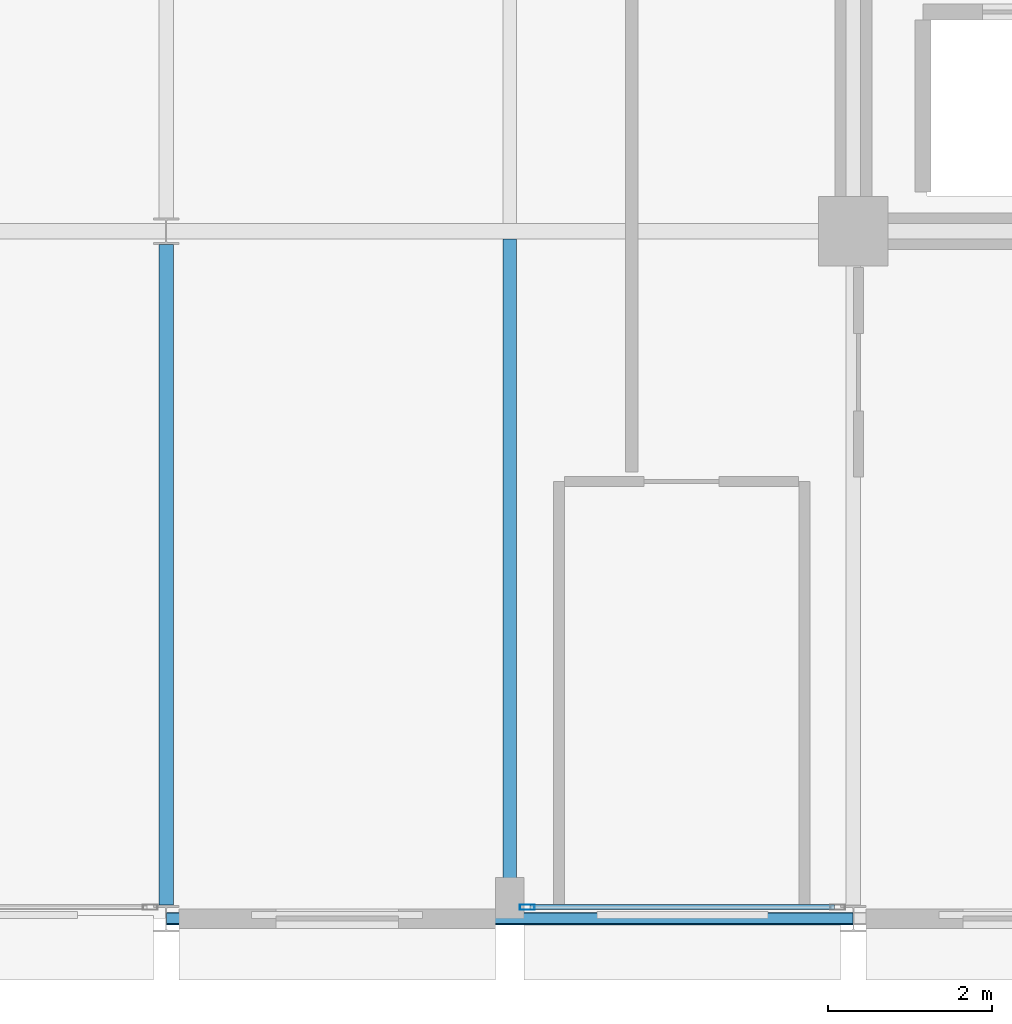
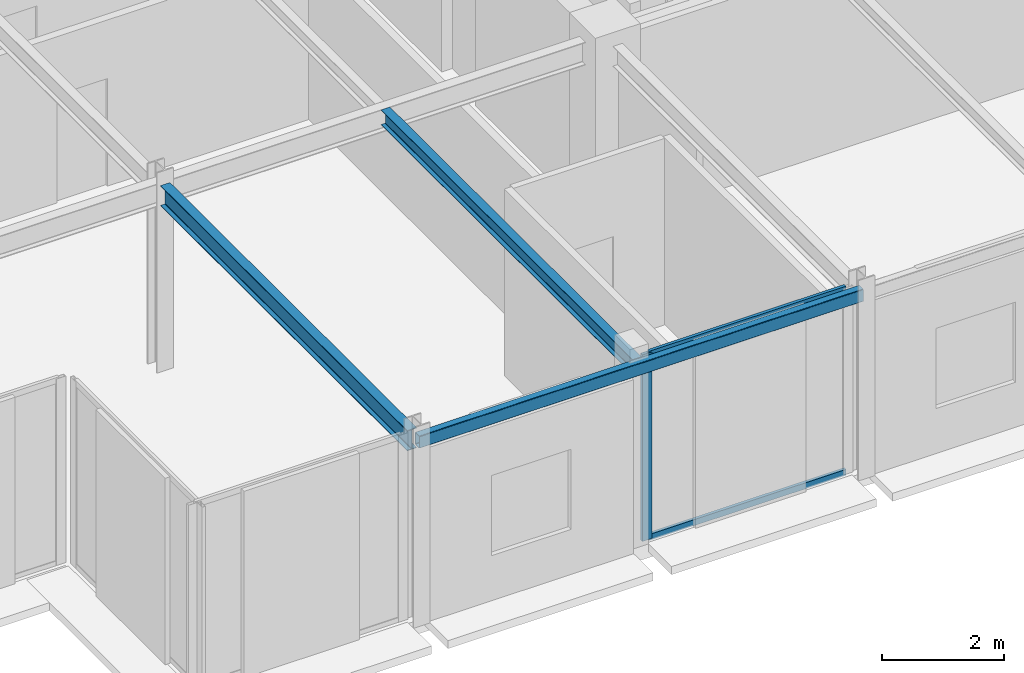
# One storey, part 4 of 27: 3 beams, 3 members, 1 element without a shape of its own.
"""IFC4 building model written with IfcOpenShell, lengths in metres."""

from ifc_helpers import new_model, si_unit, direction, frame, origin, origin_2d, place, context, subcontext, project, spatial, hollow_rectangle, i_section, extrude, material, layer, layer_set, material_profile, profile_set, type_object, element, aggregate, save


model = new_model("IFC4")

# Units and contexts
model_context = context("Model", 3, precision=1e-05, world=origin(), true_north=direction((0.0, 1.0)))
body_context = subcontext(model_context, "Body", "Model", "MODEL_VIEW")
ifc_project = project(units=[si_unit("LENGTHUNIT", "METRE"), si_unit("AREAUNIT", "SQUARE_METRE"), si_unit("VOLUMEUNIT", "CUBIC_METRE"), si_unit("PLANEANGLEUNIT", "RADIAN"), si_unit("MASSUNIT", "GRAM", prefix="KILO")], contexts=[model_context])

# Site, building, storey
site_placement = place(None, origin())
site = spatial("IfcSite", under=ifc_project, at=site_placement, CompositionType="ELEMENT")
building_placement = place(site_placement, origin())
building = spatial("IfcBuilding", under=site, at=building_placement, Name="Nerrivon Quay Data Exchange", CompositionType="ELEMENT")
storey_placement = place(building_placement, frame((0.0, 0.0, 266.199951171875)))
storey = spatial("IfcBuildingStorey", under=building, at=storey_placement, Name="L63", CompositionType="ELEMENT", Elevation=266.199951171875)

# Beams
ifc_material_1 = material(Name="Steel Grade 350", Category="steel")
ifc_material_profile_1 = material_profile(ifc_material_1, i_section(OverallWidth=0.177978515625, OverallDepth=0.406005859375, WebThickness=0.0078125, FlangeThickness=0.0126953125, FilletRadius=0.011474609375, at=origin_2d()), Name="410UB59.7")
ifc_profile_set_1 = profile_set([ifc_material_profile_1], Name="Steel Grade 350")
beam_type_1 = type_object("IfcBeamType", Name="BM-J1-410UB60", PredefinedType="JOIST", material=ifc_profile_set_1)
beam_1_placement = place(storey_placement, frame((8.39990234375, 0.16357421875, 3.52197265625), z_axis=(0.0, 1.0, 0.0), x_axis=(-1.0, 0.0, 0.0)))
element("IfcBeam", 1, at=beam_1_placement, inside=storey, type_object=beam_type_1, Name="L63 NS Girder X=8.4 (0.0..8.4)", PredefinedType="JOIST", context=body_context, shape_type="SweptSolid", body=[
    extrude(i_section(OverallWidth=0.177978515625, OverallDepth=0.406005859375, WebThickness=0.0078125, FlangeThickness=0.0126953125, FilletRadius=0.011474609375, at=origin_2d()), origin(), (0.0, 0.0, 1.0), 8.072998046875),
])
ifc_material_profile_2 = material_profile(ifc_material_1, i_section(OverallWidth=0.1650390625, OverallDepth=0.303955078125, WebThickness=0.006103515625, FlangeThickness=0.01025390625, FilletRadius=0.011474609375, at=origin_2d()), Name="310UB40.4")
ifc_profile_set_2 = profile_set([ifc_material_profile_2], Name="Steel Grade 350")
beam_type_2 = type_object("IfcBeamType", Name="BM-J6-310UB40", PredefinedType="JOIST", material=ifc_profile_set_2)
beam_2_placement = place(storey_placement, frame((12.60009765625, 0.074951171875, 3.572998046875), z_axis=(0.0, 1.0, 0.0), x_axis=(-1.0, 0.0, 0.0)))
element("IfcBeam", 2, at=beam_2_placement, inside=storey, type_object=beam_type_2, Name="L63 Secondary Joist X=12.6 (0.0..8.4)", PredefinedType="JOIST", context=body_context, shape_type="SweptSolid", body=[
    extrude(i_section(OverallWidth=0.1650390625, OverallDepth=0.303955078125, WebThickness=0.006103515625, FlangeThickness=0.01025390625, FilletRadius=0.011474609375, at=origin_2d()), origin(), (0.0, 0.0, 1.0), 8.22998046875),
])
ifc_material_2 = material(Name="Steel Grade C350L0 (350 MPa)", Category="steel")
ifc_material_profile_3 = material_profile(ifc_material_2, hollow_rectangle(XDim=0.14990234375, YDim=0.25, WallThickness=0.009033203125, InnerFilletRadius=0.013427734375, OuterFilletRadius=0.0224609375, at=origin_2d()), Name="250x150x9.0RHS")
ifc_profile_set_3 = profile_set([ifc_material_profile_3], Name="Steel Grade C350L0 (350 MPa)")
beam_type_3 = type_object("IfcBeamType", Name="BM-SP4-250x150RHS", PredefinedType="SPANDREL", material=ifc_profile_set_3)
beam_3_placement = place(storey_placement, frame((8.40771484375, 0.0, 3.60009765625), z_axis=(1.0, 0.0, 0.0), x_axis=(0.0, 1.0, 0.0)))
element("IfcBeam", 3, at=beam_3_placement, inside=storey, type_object=beam_type_3, Name="L63 EW Girder Y=0.0 (8.4..16.8)", PredefinedType="SPANDREL", context=body_context, shape_type="SweptSolid", body=[
    extrude(hollow_rectangle(XDim=0.14990234375, YDim=0.25, WallThickness=0.009033203125, InnerFilletRadius=0.013427734375, OuterFilletRadius=0.0224609375, at=origin_2d()), origin(), (0.0, 0.0, 1.0), 8.38427734375),
])

# Curtain wall, members
ifc_material_3 = material(Name="Anodised aluminium 6063-T6", Category="aluminium")
ifc_layer = layer(ifc_material_3, 0.195068359375)
ifc_layer_set = layer_set([ifc_layer], Name="Anodised aluminium 6063-T6")
curtain_wall_type = type_object("IfcCurtainWallType", Name="CW-SYS-06", PredefinedType="NOTDEFINED", material=ifc_layer_set)
curtain_wall_placement = place(storey_placement, origin())
curtain_wall = element("IfcCurtainWall", 4, at=curtain_wall_placement, inside=storey, type_object=curtain_wall_type, Name="L63 Unitised Curtain Wall 6", PredefinedType="NOTDEFINED")
ifc_material_profile_4 = material_profile(ifc_material_3, hollow_rectangle(XDim=0.06494140625, YDim=0.179931640625, WallThickness=0.00341796875, at=origin_2d()), Name="ALU-MULL-180x65")
ifc_profile_set_4 = profile_set([ifc_material_profile_4], Name="Anodised aluminium 6063-T6")
member_type_1 = type_object("IfcMemberType", Name="CWM-180x65", PredefinedType="MULLION", material=ifc_profile_set_4)
member_1_placement = place(storey_placement, frame((12.8125, 0.139892578125, 0.0), z_axis=(0.0, 0.0, 1.0), x_axis=(0.0, -1.0, 0.0)))
member_1 = element("IfcMember", 5, at=member_1_placement, type_object=member_type_1, Name="CW06 mullion 2", PredefinedType="MULLION", context=body_context, shape_type="SweptSolid", body=[
    extrude(hollow_rectangle(XDim=0.06494140625, YDim=0.179931640625, WallThickness=0.00341796875, at=origin_2d()), origin(), (0.0, 0.0, 1.0), 3.72509765625),
])
ifc_material_profile_5 = material_profile(ifc_material_3, hollow_rectangle(XDim=0.06005859375, YDim=0.1201171875, WallThickness=0.003173828125, at=origin_2d()), Name="ALU-TRAN-120x60")
ifc_profile_set_5 = profile_set([ifc_material_profile_5], Name="Anodised aluminium 6063-T6")
member_type_2 = type_object("IfcMemberType", Name="CWT-120x60", PredefinedType="USERDEFINED", material=ifc_profile_set_5)
member_2_placement = place(storey_placement, frame((16.569580078125, 0.139892578125, 0.032470703125), z_axis=(-1.0, 0.0, 0.0), x_axis=(0.0, -1.0, 0.0)))
member_2 = element("IfcMember", 6, at=member_2_placement, type_object=member_type_2, Name="CW06 transom 1.1", ObjectType="TRANSOM", PredefinedType="USERDEFINED", context=body_context, shape_type="SweptSolid", body=[
    extrude(hollow_rectangle(XDim=0.06005859375, YDim=0.1201171875, WallThickness=0.003173828125, at=origin_2d()), origin(), (0.0, 0.0, 1.0), 3.719482421875),
])
member_3_placement = place(storey_placement, frame((16.569580078125, 0.139892578125, 3.692626953125), z_axis=(-1.0, 0.0, 0.0), x_axis=(0.0, -1.0, 0.0)))
member_3 = element("IfcMember", 7, at=member_3_placement, type_object=member_type_2, Name="CW06 transom 1.2", ObjectType="TRANSOM", PredefinedType="USERDEFINED", context=body_context, shape_type="SweptSolid", body=[
    extrude(hollow_rectangle(XDim=0.06005859375, YDim=0.1201171875, WallThickness=0.003173828125, at=origin_2d()), origin(), (0.0, 0.0, 1.0), 3.719482421875),
])
aggregate(curtain_wall, [member_1, member_2, member_3])

save(model, "model.ifc")
